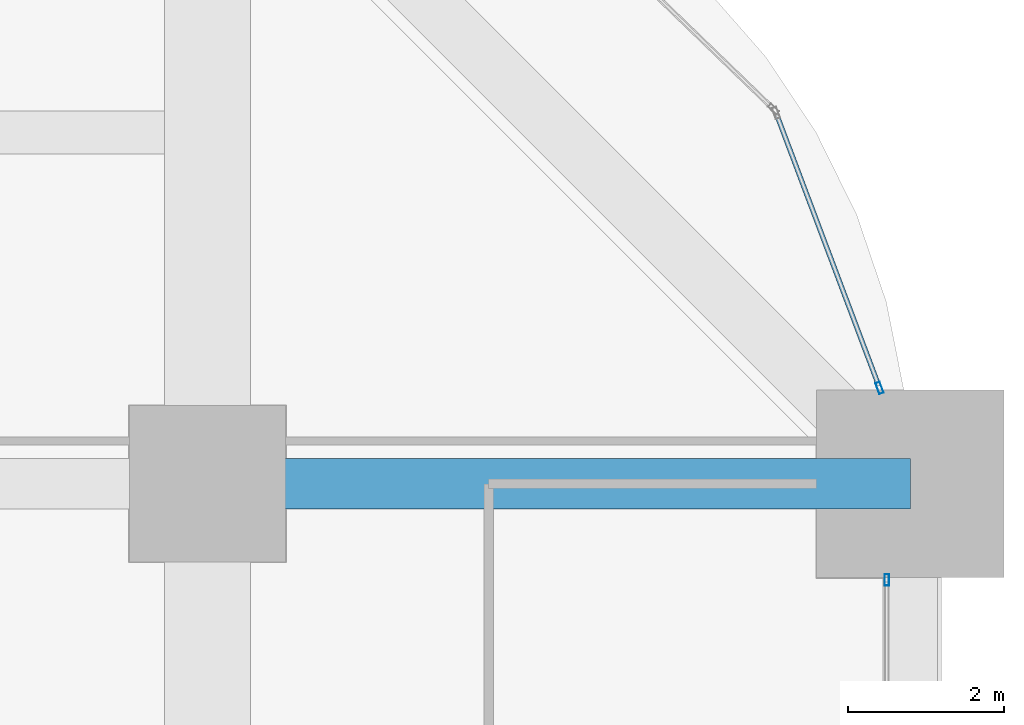
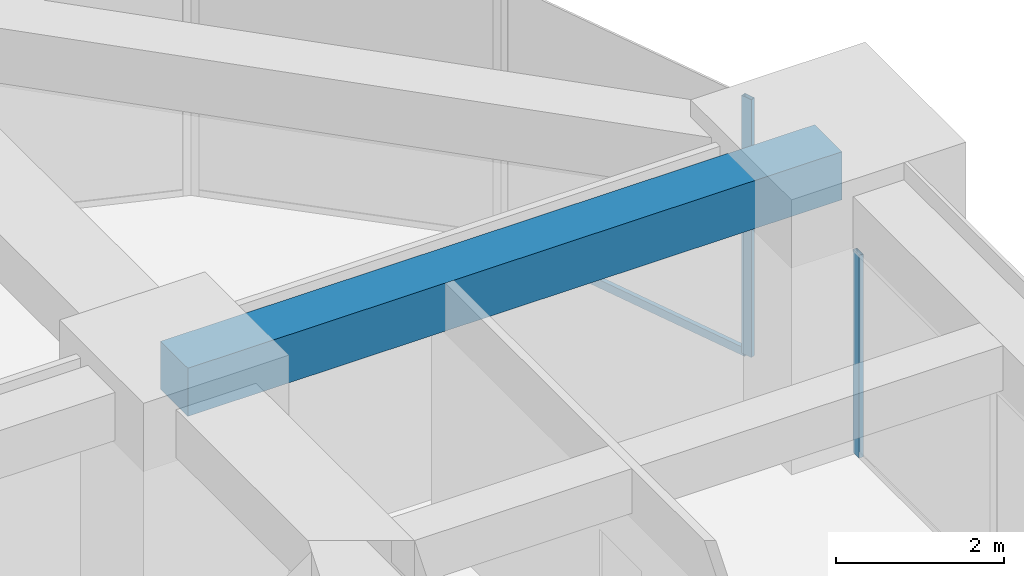
# One storey, part 32 of 41: 3 members, 1 beam, 2 elements without a shape of their own.
"""IFC4 building model written with IfcOpenShell, lengths in metres."""

from ifc_helpers import new_model, si_unit, direction, frame, origin, origin_2d, place, context, subcontext, project, spatial, rectangle, hollow_rectangle, extrude, material, material_profile, profile_set, type_object, element, aggregate, save


model = new_model("IFC4")

# Units and contexts
model_context = context("Model", 3, precision=1e-05, world=origin(), true_north=direction((0.0, 1.0)))
body_context = subcontext(model_context, "Body", "Model", "MODEL_VIEW")
ifc_project = project(units=[si_unit("LENGTHUNIT", "METRE"), si_unit("AREAUNIT", "SQUARE_METRE"), si_unit("VOLUMEUNIT", "CUBIC_METRE"), si_unit("PLANEANGLEUNIT", "RADIAN"), si_unit("MASSUNIT", "GRAM", prefix="KILO")], contexts=[model_context])

# Site, building, storey
site_placement = place(None, origin())
site = spatial("IfcSite", under=ifc_project, at=site_placement, CompositionType="ELEMENT")
building_placement = place(site_placement, origin())
building = spatial("IfcBuilding", under=site, at=building_placement, Name="Zorevar Civic Tower", CompositionType="ELEMENT")
storey_placement = place(building_placement, frame((0.0, 0.0, 113.0)))
storey = spatial("IfcBuildingStorey", under=building, at=storey_placement, Name="L27", CompositionType="ELEMENT", Elevation=113.0)

# Beam
ifc_material_1 = material(Name="Concrete C50/60", Category="concrete")
ifc_material_profile_1 = material_profile(ifc_material_1, rectangle(XDim=0.64990234375, YDim=0.699951171875, at=origin_2d()), Name="RC 650x700")
ifc_profile_set_1 = profile_set([ifc_material_profile_1], Name="Concrete C50/60")
beam_type = type_object("IfcBeamType", Name="Beam RC 650x700", PredefinedType="BEAM", material=ifc_profile_set_1)
beam_placement = place(storey_placement, frame((54.0, 36.0, 3.39990234375), z_axis=(1.0, 0.0, 0.0), x_axis=(0.0, 1.0, 0.0)))
element("IfcBeam", 1, at=beam_placement, inside=storey, type_object=beam_type, Name="Girder L28", PredefinedType="BEAM", context=body_context, shape_type="SweptSolid", body=[
    extrude(rectangle(XDim=0.64990234375, YDim=0.699951171875, at=origin_2d()), origin(), (0.0, 0.0, 1.0), 9.0),
])

# Curtain wall, member
ifc_material_2 = material(Name="Dark grey solar-control glass in black aluminium frame", Category="aluminium")
curtain_wall_type = type_object("IfcCurtainWallType", Name="Curtain wall CW3 mid zone", PredefinedType="NOTDEFINED", material=ifc_material_2)
curtain_wall_1_placement = place(storey_placement, origin())
curtain_wall_1 = element("IfcCurtainWall", 2, at=curtain_wall_1_placement, inside=storey, type_object=curtain_wall_type, Name="CW3 L27", PredefinedType="NOTDEFINED")
ifc_material_3 = material(Name="Aluminium, black anodised", Category="aluminium")
ifc_material_profile_2 = material_profile(ifc_material_3, hollow_rectangle(XDim=0.06005859375, YDim=0.14990234375, WallThickness=0.00390625, at=origin_2d()), Name="AL 150x60x4")
ifc_profile_set_2 = profile_set([ifc_material_profile_2], Name="Aluminium, black anodised")
member_type_1 = type_object("IfcMemberType", Name="CW3 mullion AL 150x60x4", PredefinedType="MULLION", material=ifc_profile_set_2)
member_1_placement = place(storey_placement, frame((62.699951171875, 34.77001953125, 0.0), z_axis=(0.0, 0.0, 1.0), x_axis=(-1.0, 0.0, 0.0)))
member_1 = element("IfcMember", 3, at=member_1_placement, type_object=member_type_1, Name="CW3 mullion 3", PredefinedType="MULLION", context=body_context, shape_type="SweptSolid", body=[
    extrude(hollow_rectangle(XDim=0.06005859375, YDim=0.14990234375, WallThickness=0.00390625, at=origin_2d()), origin(), (0.0, 0.0, 1.0), 2.949951171875),
])
aggregate(curtain_wall_1, [member_1])

# Curtain wall, members
curtain_wall_2_placement = place(storey_placement, origin())
curtain_wall_2 = element("IfcCurtainWall", 4, at=curtain_wall_2_placement, inside=storey, type_object=curtain_wall_type, Name="CW3 L27", PredefinedType="NOTDEFINED")
member_2_placement = place(storey_placement, frame((62.606201171875, 37.22802734375, 0.0), z_axis=(0.0, 0.0, 1.0), x_axis=(-0.935950528564, -0.352131520999, 0.0)))
member_2 = element("IfcMember", 5, at=member_2_placement, type_object=member_type_1, Name="CW3 mullion 1", PredefinedType="MULLION", context=body_context, shape_type="SweptSolid", body=[
    extrude(hollow_rectangle(XDim=0.06005859375, YDim=0.14990234375, WallThickness=0.00390625, at=origin_2d()), origin(), (0.0, 0.0, 1.0), 3.75),
])
ifc_material_4 = material(Name="Aluminium, black anodised", Category="aluminium")
ifc_material_profile_3 = material_profile(ifc_material_4, hollow_rectangle(XDim=0.06005859375, YDim=0.1201171875, WallThickness=0.0029296875, at=origin_2d()), Name="AL 120x60x3")
ifc_profile_set_3 = profile_set([ifc_material_profile_3], Name="Aluminium, black anodised")
member_type_2 = type_object("IfcMemberType", Name="CW3 transom AL 120x60x3", PredefinedType="USERDEFINED", material=ifc_profile_set_3)
member_3_placement = place(storey_placement, frame((62.595703125, 37.256103515625, 0.030029296875), z_axis=(-0.352142207579, 0.935946507895, 0.0), x_axis=(-0.935946507895, -0.352142207579, 0.0)))
member_3 = element("IfcMember", 6, at=member_3_placement, type_object=member_type_2, Name="CW3 sill transom", ObjectType="TRANSOM", PredefinedType="USERDEFINED", context=body_context, shape_type="SweptSolid", body=[
    extrude(hollow_rectangle(XDim=0.06005859375, YDim=0.1201171875, WallThickness=0.0029296875, at=origin_2d()), origin(), (0.0, 0.0, 1.0), 3.7021484375),
])
aggregate(curtain_wall_2, [member_2, member_3])

save(model, "model.ifc")
